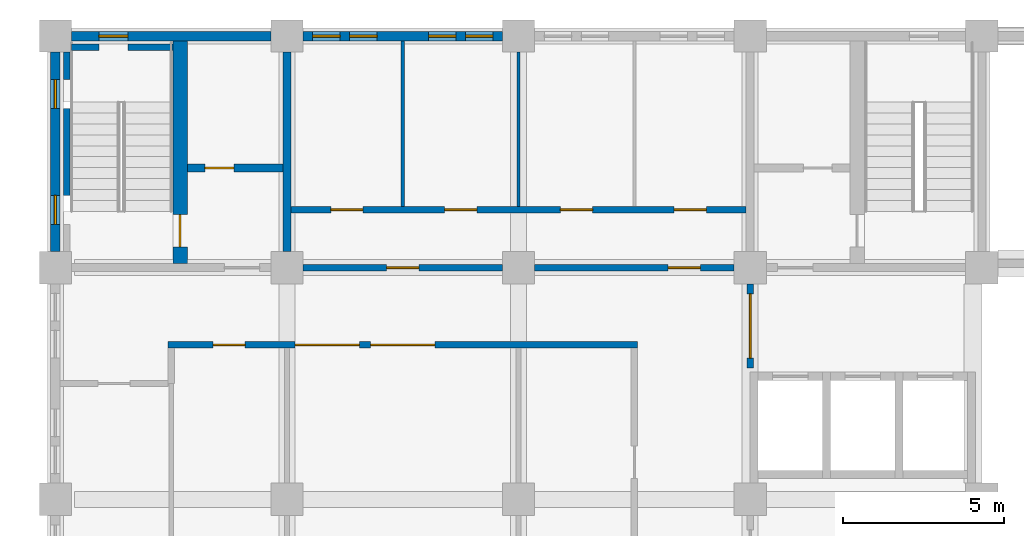
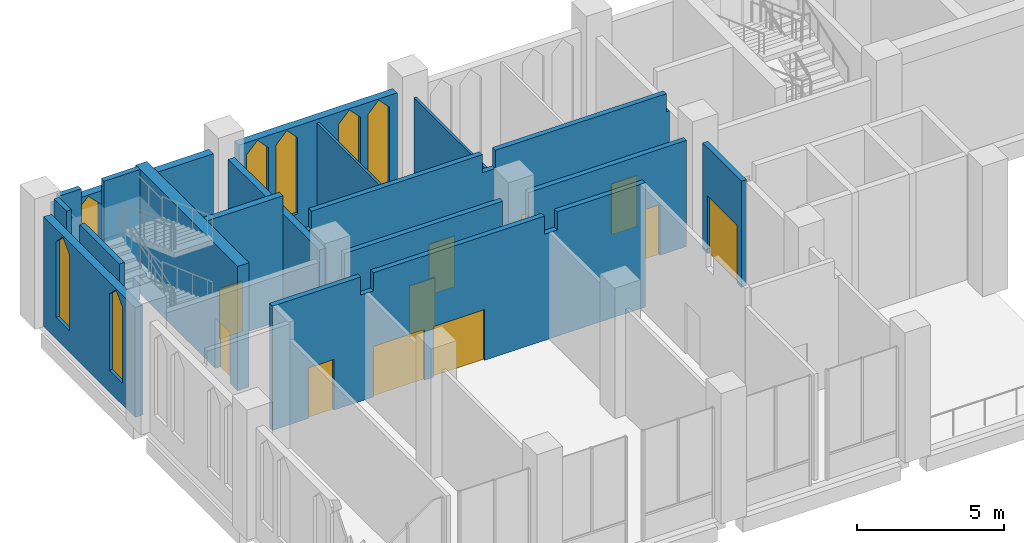
# One storey, part 31 of 48: 17 walls, 12 doors, 7 windows, 19 openings.
"""IFC4 building model written with IfcOpenShell, lengths in metres."""

from ifc_helpers import new_model, si_unit, direction, frame, frame_2d, origin, place, context, subcontext, project, spatial, polyline, rectangle, outline, extrude, material, layer, layer_set, type_object, element, fill, save


model = new_model("IFC4")

# Units and contexts
model_context = context("Model", 3, precision=1e-05, world=origin(), true_north=direction((0.0, 1.0)))
body_context = subcontext(model_context, "Body", "Model", "MODEL_VIEW")
ifc_project = project(units=[si_unit("LENGTHUNIT", "METRE"), si_unit("AREAUNIT", "SQUARE_METRE"), si_unit("VOLUMEUNIT", "CUBIC_METRE"), si_unit("PLANEANGLEUNIT", "RADIAN"), si_unit("MASSUNIT", "GRAM", prefix="KILO")], contexts=[model_context])

# Site, building, storey
site_placement = place(None, origin())
site = spatial("IfcSite", under=ifc_project, at=site_placement, CompositionType="ELEMENT")
building_placement = place(site_placement, origin())
building = spatial("IfcBuilding", under=site, at=building_placement, Name="Silangan Lancet Faculty of Sciences", CompositionType="ELEMENT")
storey_placement = place(building_placement, frame((0.0, 0.0, 6.0)))
storey = spatial("IfcBuildingStorey", under=building, at=storey_placement, Name="L01", CompositionType="ELEMENT", Elevation=6.0)

# Wall, openings, windows
ifc_material_1 = material(Name="Concrete C40/50 precast", Category="concrete")
ifc_layer_1 = layer(ifc_material_1, 0.300048828125)
ifc_layer_set_1 = layer_set([ifc_layer_1], Name="Concrete C40/50 precast")
wall_type_1 = type_object("IfcWallType", Name="EW2 Turret enclosure wall", PredefinedType="STANDARD", material=ifc_layer_set_1)
wall_1_placement = place(storey_placement, frame((0.0, 50.89990234375, 0.0), z_axis=(0.0, 0.0, 1.0), x_axis=(0.0, 1.0, 0.0)))
wall_1 = element("IfcWall", 1, at=wall_1_placement, inside=storey, type_object=wall_type_1, Name="EW-L01-W-NT-02", PredefinedType="STANDARD", context=body_context, shape_type="SweptSolid", body=[
    extrude(rectangle(XDim=6.2001953125, YDim=0.300048828125, at=frame_2d((3.10009765625, 0.0))), origin(), (0.0, 0.0, 1.0), 4.550048828125),
])
opening_1_placement = place(wall_1_placement, frame((0.85009765625, 0.0, 0.89990234375)))
opening_1 = element("IfcOpeningElement", 2, at=opening_1_placement, cuts=wall_1, Name="Opening W5", PredefinedType="OPENING", context=body_context, shape_type="SweptSolid", body=[
    extrude(outline(polyline([(0.0, 0.0), (0.89990234375, 0.0), (0.89990234375, 3.150146484375), (0.449951171875, 3.60009765625), (0.0, 3.150146484375), (0.0, 0.0)])), frame((0.0, 0.159912109375, 0.0), z_axis=(0.0, -1.0, 0.0), x_axis=(1.0, 0.0, 0.0)), (0.0, 0.0, 1.0), 0.320068359375),
])
opening_2_placement = place(wall_1_placement, frame((4.449951171875, 0.0, 0.89990234375)))
opening_2 = element("IfcOpeningElement", 3, at=opening_2_placement, cuts=wall_1, Name="Opening W5", PredefinedType="OPENING", context=body_context, shape_type="SweptSolid", body=[
    extrude(outline(polyline([(0.0, 0.0), (0.89990234375, 0.0), (0.89990234375, 3.150146484375), (0.449951171875, 3.60009765625), (0.0, 3.150146484375), (0.0, 0.0)])), frame((0.0, 0.159912109375, 0.0), z_axis=(0.0, -1.0, 0.0), x_axis=(1.0, 0.0, 0.0)), (0.0, 0.0, 1.0), 0.320068359375),
])
ifc_material_2 = material(Name="Aluminium frame, laminated double glazing", Category="aluminium")
window_type_1 = type_object("IfcWindowType", Name="W5 Lancet window 900 x 3600", PartitioningType="SINGLE_PANEL", PredefinedType="WINDOW", material=ifc_material_2)
window_1_placement = place(opening_1_placement, origin())
window_1 = element("IfcWindow", 4, at=window_1_placement, inside=storey, type_object=window_type_1, Name="WIN-L01-W-NT-02a", OverallHeight=3.60009765625, OverallWidth=0.89990234375, PartitioningType="SINGLE_PANEL", PredefinedType="WINDOW", context=body_context, shape_type="SweptSolid", body=[
    extrude(outline(polyline([(0.0, 0.0), (0.89990234375, 0.0), (0.89990234375, 3.150146484375), (0.449951171875, 3.60009765625), (0.0, 3.150146484375), (0.0, 0.0)])), frame((0.0, 0.030029296875, 0.0), z_axis=(0.0, -1.0, 0.0), x_axis=(1.0, 0.0, 0.0)), (0.0, 0.0, 1.0), 0.06005859375),
])
fill(opening_1, window_1)
window_2_placement = place(opening_2_placement, origin())
window_2 = element("IfcWindow", 5, at=window_2_placement, inside=storey, type_object=window_type_1, Name="WIN-L01-W-NT-02b", OverallHeight=3.60009765625, OverallWidth=0.89990234375, PartitioningType="SINGLE_PANEL", PredefinedType="WINDOW", context=body_context, shape_type="SweptSolid", body=[
    extrude(outline(polyline([(0.0, 0.0), (0.89990234375, 0.0), (0.89990234375, 3.150146484375), (0.449951171875, 3.60009765625), (0.0, 3.150146484375), (0.0, 0.0)])), frame((0.0, 0.030029296875, 0.0), z_axis=(0.0, -1.0, 0.0), x_axis=(1.0, 0.0, 0.0)), (0.0, 0.0, 1.0), 0.06005859375),
])
fill(opening_2, window_2)

# Wall, opening, window
wall_2_placement = place(storey_placement, frame((6.699951171875, 57.60009765625, 0.0), z_axis=(0.0, 0.0, 1.0), x_axis=(-1.0, 0.0, 0.0)))
wall_2 = element("IfcWall", 6, at=wall_2_placement, inside=storey, type_object=wall_type_1, Name="EW-L01-N-NT-03", PredefinedType="STANDARD", context=body_context, shape_type="SweptSolid", body=[
    extrude(rectangle(XDim=6.199951171875, YDim=0.300048828125, at=frame_2d((3.10009765625, 0.0))), origin(), (0.0, 0.0, 1.0), 4.550048828125),
])
opening_3_placement = place(wall_2_placement, frame((4.449951171875, 0.0, 0.89990234375)))
opening_3 = element("IfcOpeningElement", 7, at=opening_3_placement, cuts=wall_2, Name="Opening W5", PredefinedType="OPENING", context=body_context, shape_type="SweptSolid", body=[
    extrude(outline(polyline([(0.0, 0.0), (0.89990234375, 0.0), (0.89990234375, 3.150146484375), (0.449951171875, 3.60009765625), (0.0, 3.150146484375), (0.0, 0.0)])), frame((0.0, 0.159912109375, 0.0), z_axis=(0.0, -1.0, 0.0), x_axis=(1.0, 0.0, 0.0)), (0.0, 0.0, 1.0), 0.320068359375),
])
window_3_placement = place(opening_3_placement, origin())
window_3 = element("IfcWindow", 8, at=window_3_placement, inside=storey, type_object=window_type_1, Name="WIN-L01-N-NT-03b", OverallHeight=3.60009765625, OverallWidth=0.89990234375, PartitioningType="SINGLE_PANEL", PredefinedType="WINDOW", context=body_context, shape_type="SweptSolid", body=[
    extrude(outline(polyline([(0.0, 0.0), (0.89990234375, 0.0), (0.89990234375, 3.150146484375), (0.449951171875, 3.60009765625), (0.0, 3.150146484375), (0.0, 0.0)])), frame((0.0, 0.030029296875, 0.0), z_axis=(0.0, -1.0, 0.0), x_axis=(1.0, 0.0, 0.0)), (0.0, 0.0, 1.0), 0.06005859375),
])
fill(opening_3, window_3)

# Wall, openings, windows
ifc_material_3 = material(Name="Concrete C40/50", Category="concrete")
ifc_layer_2 = layer(ifc_material_3, 0.300048828125)
ifc_layer_set_2 = layer_set([ifc_layer_2], Name="Concrete C40/50")
wall_type_2 = type_object("IfcWallType", Name="EW6 Stone-faced base wall", PredefinedType="STANDARD", material=ifc_layer_set_2)
wall_3_placement = place(storey_placement, frame((13.89990234375, 57.60009765625, 0.0), z_axis=(0.0, 0.0, 1.0), x_axis=(-1.0, 0.0, 0.0)))
wall_3 = element("IfcWall", 9, at=wall_3_placement, inside=storey, type_object=wall_type_2, Name="EW-L01-N-NT-02", PredefinedType="STANDARD", context=body_context, shape_type="SweptSolid", body=[
    extrude(rectangle(XDim=6.199951171875, YDim=0.300048828125, at=frame_2d((3.10009765625, 0.0))), origin(), (0.0, 0.0, 1.0), 4.550048828125),
])
opening_4_placement = place(wall_3_placement, frame((0.300048828125, 0.0, 0.89990234375)))
opening_4 = element("IfcOpeningElement", 10, at=opening_4_placement, cuts=wall_3, Name="Opening W7", PredefinedType="OPENING", context=body_context, shape_type="SweptSolid", body=[
    extrude(outline(polyline([(0.0, 0.0), (0.85009765625, 0.0), (0.85009765625, 3.150146484375), (0.425048828125, 3.60009765625), (0.0, 3.150146484375), (0.0, 0.0)])), frame((0.0, 0.159912109375, 0.0), z_axis=(0.0, -1.0, 0.0), x_axis=(1.0, 0.0, 0.0)), (0.0, 0.0, 1.0), 0.320068359375),
])
opening_5_placement = place(wall_3_placement, frame((1.449951171875, 0.0, 0.89990234375)))
opening_5 = element("IfcOpeningElement", 11, at=opening_5_placement, cuts=wall_3, Name="Opening W7", PredefinedType="OPENING", context=body_context, shape_type="SweptSolid", body=[
    extrude(outline(polyline([(0.0, 0.0), (0.85009765625, 0.0), (0.85009765625, 3.150146484375), (0.425048828125, 3.60009765625), (0.0, 3.150146484375), (0.0, 0.0)])), frame((0.0, 0.159912109375, 0.0), z_axis=(0.0, -1.0, 0.0), x_axis=(1.0, 0.0, 0.0)), (0.0, 0.0, 1.0), 0.320068359375),
])
opening_6_placement = place(wall_3_placement, frame((3.89990234375, 0.0, 0.89990234375)))
opening_6 = element("IfcOpeningElement", 12, at=opening_6_placement, cuts=wall_3, Name="Opening W7", PredefinedType="OPENING", context=body_context, shape_type="SweptSolid", body=[
    extrude(outline(polyline([(0.0, 0.0), (0.85009765625, 0.0), (0.85009765625, 3.150146484375), (0.425048828125, 3.60009765625), (0.0, 3.150146484375), (0.0, 0.0)])), frame((0.0, 0.159912109375, 0.0), z_axis=(0.0, -1.0, 0.0), x_axis=(1.0, 0.0, 0.0)), (0.0, 0.0, 1.0), 0.320068359375),
])
opening_7_placement = place(wall_3_placement, frame((5.050048828125, 0.0, 0.89990234375)))
opening_7 = element("IfcOpeningElement", 13, at=opening_7_placement, cuts=wall_3, Name="Opening W7", PredefinedType="OPENING", context=body_context, shape_type="SweptSolid", body=[
    extrude(outline(polyline([(0.0, 0.0), (0.85009765625, 0.0), (0.85009765625, 3.150146484375), (0.425048828125, 3.60009765625), (0.0, 3.150146484375), (0.0, 0.0)])), frame((0.0, 0.159912109375, 0.0), z_axis=(0.0, -1.0, 0.0), x_axis=(1.0, 0.0, 0.0)), (0.0, 0.0, 1.0), 0.320068359375),
])
ifc_material_4 = material(Name="Aluminium frame, laminated double glazing", Category="aluminium")
window_type_2 = type_object("IfcWindowType", Name="W7 Lancet window 850 x 3600", PartitioningType="SINGLE_PANEL", PredefinedType="WINDOW", material=ifc_material_4)
window_4_placement = place(opening_4_placement, origin())
window_4 = element("IfcWindow", 14, at=window_4_placement, inside=storey, type_object=window_type_2, Name="WIN-L01-N-NT-02a1", OverallHeight=3.60009765625, OverallWidth=0.85009765625, PartitioningType="SINGLE_PANEL", PredefinedType="WINDOW", context=body_context, shape_type="SweptSolid", body=[
    extrude(outline(polyline([(0.0, 0.0), (0.85009765625, 0.0), (0.85009765625, 3.150146484375), (0.425048828125, 3.60009765625), (0.0, 3.150146484375), (0.0, 0.0)])), frame((0.0, 0.030029296875, 0.0), z_axis=(0.0, -1.0, 0.0), x_axis=(1.0, 0.0, 0.0)), (0.0, 0.0, 1.0), 0.06005859375),
])
fill(opening_4, window_4)
window_5_placement = place(opening_5_placement, origin())
window_5 = element("IfcWindow", 15, at=window_5_placement, inside=storey, type_object=window_type_2, Name="WIN-L01-N-NT-02a2", OverallHeight=3.60009765625, OverallWidth=0.85009765625, PartitioningType="SINGLE_PANEL", PredefinedType="WINDOW", context=body_context, shape_type="SweptSolid", body=[
    extrude(outline(polyline([(0.0, 0.0), (0.85009765625, 0.0), (0.85009765625, 3.150146484375), (0.425048828125, 3.60009765625), (0.0, 3.150146484375), (0.0, 0.0)])), frame((0.0, 0.030029296875, 0.0), z_axis=(0.0, -1.0, 0.0), x_axis=(1.0, 0.0, 0.0)), (0.0, 0.0, 1.0), 0.06005859375),
])
fill(opening_5, window_5)
window_6_placement = place(opening_6_placement, origin())
window_6 = element("IfcWindow", 16, at=window_6_placement, inside=storey, type_object=window_type_2, Name="WIN-L01-N-NT-02b1", OverallHeight=3.60009765625, OverallWidth=0.85009765625, PartitioningType="SINGLE_PANEL", PredefinedType="WINDOW", context=body_context, shape_type="SweptSolid", body=[
    extrude(outline(polyline([(0.0, 0.0), (0.85009765625, 0.0), (0.85009765625, 3.150146484375), (0.425048828125, 3.60009765625), (0.0, 3.150146484375), (0.0, 0.0)])), frame((0.0, 0.030029296875, 0.0), z_axis=(0.0, -1.0, 0.0), x_axis=(1.0, 0.0, 0.0)), (0.0, 0.0, 1.0), 0.06005859375),
])
fill(opening_6, window_6)
window_7_placement = place(opening_7_placement, origin())
window_7 = element("IfcWindow", 17, at=window_7_placement, inside=storey, type_object=window_type_2, Name="WIN-L01-N-NT-02b2", OverallHeight=3.60009765625, OverallWidth=0.85009765625, PartitioningType="SINGLE_PANEL", PredefinedType="WINDOW", context=body_context, shape_type="SweptSolid", body=[
    extrude(outline(polyline([(0.0, 0.0), (0.85009765625, 0.0), (0.85009765625, 3.150146484375), (0.425048828125, 3.60009765625), (0.0, 3.150146484375), (0.0, 0.0)])), frame((0.0, 0.030029296875, 0.0), z_axis=(0.0, -1.0, 0.0), x_axis=(1.0, 0.0, 0.0)), (0.0, 0.0, 1.0), 0.06005859375),
])
fill(opening_7, window_7)

# Wall, openings, doors
ifc_material_5 = material(Name="Hollow block masonry fm 7 MPa", Category="masonry")
ifc_layer_3 = layer(ifc_material_5, 0.199951171875)
ifc_layer_set_3 = layer_set([ifc_layer_3], Name="Hollow block masonry fm 7 MPa")
wall_type_3 = type_object("IfcWallType", Name="Interior wall PW1 Corridor wall CHB 200", PredefinedType="PARTITIONING", material=ifc_layer_set_3)
wall_4_placement = place(storey_placement, frame((3.5, 48.0, 0.0), z_axis=(0.0, 0.0, 1.0), x_axis=(1.0, 0.0, 0.0)))
wall_4 = element("IfcWall", 18, at=wall_4_placement, inside=storey, type_object=wall_type_3, Name="Corridor wall CHB 200", PredefinedType="PARTITIONING", context=body_context, shape_type="SweptSolid", body=[
    extrude(outline(polyline([(0.0, 0.0), (14.60009765625, 0.0), (14.60009765625, 5.14990234375), (11.14990234375, 5.14990234375), (11.14990234375, 4.39990234375), (10.64990234375, 4.39990234375), (10.64990234375, 5.14990234375), (3.949951171875, 5.14990234375), (3.949951171875, 4.39990234375), (3.449951171875, 4.39990234375), (3.449951171875, 5.14990234375), (0.0, 5.14990234375), (0.0, 0.0)])), frame((0.0, 0.10009765625, 0.0), z_axis=(0.0, -1.0, 0.0), x_axis=(1.0, 0.0, 0.0)), (0.0, 0.0, 1.0), 0.199951171875),
])
opening_8_placement = place(wall_4_placement, frame((1.39990234375, 0.0, 0.0)))
opening_8 = element("IfcOpeningElement", 19, at=opening_8_placement, cuts=wall_4, Name="Opening L01-027", PredefinedType="OPENING", context=body_context, shape_type="SweptSolid", body=[
    extrude(rectangle(XDim=1.0, YDim=2.10009765625, at=frame_2d((0.5, 1.050048828125))), frame((0.0, 0.10986328125, 0.0), z_axis=(0.0, -1.0, 0.0), x_axis=(1.0, 0.0, 0.0)), (0.0, 0.0, 1.0), 0.219970703125),
])
opening_9_placement = place(wall_4_placement, frame((6.300048828125, 0.0, 0.0)))
opening_9 = element("IfcOpeningElement", 20, at=opening_9_placement, cuts=wall_4, Name="Opening L01-028", PredefinedType="OPENING", context=body_context, shape_type="SweptSolid", body=[
    extrude(rectangle(XDim=2.0, YDim=2.10009765625, at=frame_2d((1.0, 1.050048828125))), frame((0.0, 0.10986328125, 0.0), z_axis=(0.0, -1.0, 0.0), x_axis=(1.0, 0.0, 0.0)), (0.0, 0.0, 1.0), 0.219970703125),
])
opening_10_placement = place(wall_4_placement, frame((3.949951171875, 0.0, 0.0)))
opening_10 = element("IfcOpeningElement", 21, at=opening_10_placement, cuts=wall_4, Name="Opening L01-029", PredefinedType="OPENING", context=body_context, shape_type="SweptSolid", body=[
    extrude(rectangle(XDim=2.0, YDim=2.10009765625, at=frame_2d((1.0, 1.050048828125))), frame((0.0, 0.10986328125, 0.0), z_axis=(0.0, -1.0, 0.0), x_axis=(1.0, 0.0, 0.0)), (0.0, 0.0, 1.0), 0.219970703125),
])
ifc_material_6 = material(Name="Steel fire door set", Category="steel")
door_type_1 = type_object("IfcDoorType", Name="Door D1 Single leaf fire door 1000 x 2100", OperationType="SINGLE_SWING_LEFT", PredefinedType="DOOR", material=ifc_material_6)
door_1_placement = place(opening_8_placement, frame((1.0, 0.0, 0.0), z_axis=(0.0, 0.0, 1.0), x_axis=(-1.0, 0.0, 0.0)))
door_1 = element("IfcDoor", 22, at=door_1_placement, inside=storey, type_object=door_type_1, Name="Single leaf fire door 1000 x 2100", OperationType="SINGLE_SWING_LEFT", OverallHeight=2.10009765625, OverallWidth=1.0, PredefinedType="DOOR", context=body_context, shape_type="SweptSolid", body=[
    extrude(rectangle(XDim=1.0, YDim=2.10009765625, at=frame_2d((0.5, 1.050048828125))), frame((0.0, 0.025146484375, 0.0), z_axis=(0.0, -1.0, 0.0), x_axis=(1.0, 0.0, 0.0)), (0.0, 0.0, 1.0), 0.050048828125),
])
fill(opening_8, door_1)
ifc_material_7 = material(Name="Steel fire door set", Category="steel")
door_type_2 = type_object("IfcDoorType", Name="Door D4 Double leaf fire door 2000 x 2100", OperationType="DOUBLE_DOOR_SINGLE_SWING", PredefinedType="DOOR", material=ifc_material_7)
door_2_placement = place(opening_9_placement, origin())
door_2 = element("IfcDoor", 23, at=door_2_placement, inside=storey, type_object=door_type_2, Name="Double leaf fire door 2000 x 2100", OperationType="DOUBLE_DOOR_SINGLE_SWING", OverallHeight=2.10009765625, OverallWidth=2.0, PredefinedType="DOOR", context=body_context, shape_type="SweptSolid", body=[
    extrude(rectangle(XDim=2.0, YDim=2.10009765625, at=frame_2d((1.0, 1.050048828125))), frame((0.0, 0.02490234375, 0.0), z_axis=(0.0, -1.0, 0.0), x_axis=(1.0, 0.0, 0.0)), (0.0, 0.0, 1.0), 0.050048828125),
])
fill(opening_9, door_2)
door_3_placement = place(opening_10_placement, origin())
door_3 = element("IfcDoor", 24, at=door_3_placement, inside=storey, type_object=door_type_2, Name="Double leaf fire door 2000 x 2100", OperationType="DOUBLE_DOOR_SINGLE_SWING", OverallHeight=2.10009765625, OverallWidth=2.0, PredefinedType="DOOR", context=body_context, shape_type="SweptSolid", body=[
    extrude(rectangle(XDim=2.0, YDim=2.10009765625, at=frame_2d((1.0, 1.050048828125))), frame((0.0, 0.02490234375, 0.0), z_axis=(0.0, -1.0, 0.0), x_axis=(1.0, 0.0, 0.0)), (0.0, 0.0, 1.0), 0.050048828125),
])
fill(opening_10, door_3)

# Wall, opening, door
wall_5_placement = place(storey_placement, frame((7.699951171875, 50.39990234375, 0.0), z_axis=(0.0, 0.0, 1.0), x_axis=(1.0, 0.0, 0.0)))
wall_5 = element("IfcWall", 25, at=wall_5_placement, inside=storey, type_object=wall_type_3, Name="Corridor wall CHB 200", PredefinedType="PARTITIONING", context=body_context, shape_type="SweptSolid", body=[
    extrude(rectangle(XDim=6.199951171875, YDim=0.199951171875, at=frame_2d((3.10009765625, 0.0))), origin(), (0.0, 0.0, 1.0), 4.39990234375),
])
opening_11_placement = place(wall_5_placement, frame((2.599853515625, 0.0, 0.0)))
opening_11 = element("IfcOpeningElement", 26, at=opening_11_placement, cuts=wall_5, Name="Opening L01-005", PredefinedType="OPENING", context=body_context, shape_type="SweptSolid", body=[
    extrude(rectangle(XDim=1.0, YDim=2.10009765625, at=frame_2d((0.5, 1.050048828125))), frame((0.0, 0.10986328125, 0.0), z_axis=(0.0, -1.0, 0.0), x_axis=(1.0, 0.0, 0.0)), (0.0, 0.0, 1.0), 0.219970703125),
])
door_4_placement = place(opening_11_placement, origin())
door_4 = element("IfcDoor", 27, at=door_4_placement, inside=storey, type_object=door_type_1, Name="Single leaf fire door 1000 x 2100", OperationType="SINGLE_SWING_LEFT", OverallHeight=2.10009765625, OverallWidth=1.0, PredefinedType="DOOR", context=body_context, shape_type="SweptSolid", body=[
    extrude(rectangle(XDim=1.0, YDim=2.10009765625, at=frame_2d((0.5, 1.050048828125))), frame((0.0, 0.02490234375, 0.0), z_axis=(0.0, -1.0, 0.0), x_axis=(1.0, 0.0, 0.0)), (0.0, 0.0, 1.0), 0.050048828125),
])
fill(opening_11, door_4)

wall_6_placement = place(storey_placement, frame((14.89990234375, 50.39990234375, 0.0), z_axis=(0.0, 0.0, 1.0), x_axis=(1.0, 0.0, 0.0)))
wall_6 = element("IfcWall", 28, at=wall_6_placement, inside=storey, type_object=wall_type_3, Name="Corridor wall CHB 200", PredefinedType="PARTITIONING", context=body_context, shape_type="SweptSolid", body=[
    extrude(rectangle(XDim=6.2001953125, YDim=0.199951171875, at=frame_2d((3.10009765625, 0.0))), origin(), (0.0, 0.0, 1.0), 4.39990234375),
])
opening_12_placement = place(wall_6_placement, frame((4.150146484375, 0.0, 0.0)))
opening_12 = element("IfcOpeningElement", 29, at=opening_12_placement, cuts=wall_6, Name="Opening L01-006", PredefinedType="OPENING", context=body_context, shape_type="SweptSolid", body=[
    extrude(rectangle(XDim=1.0, YDim=2.10009765625, at=frame_2d((0.5, 1.050048828125))), frame((0.0, 0.10986328125, 0.0), z_axis=(0.0, -1.0, 0.0), x_axis=(1.0, 0.0, 0.0)), (0.0, 0.0, 1.0), 0.219970703125),
])
door_5_placement = place(opening_12_placement, origin())
door_5 = element("IfcDoor", 30, at=door_5_placement, inside=storey, type_object=door_type_1, Name="Single leaf fire door 1000 x 2100", OperationType="SINGLE_SWING_RIGHT", OverallHeight=2.10009765625, OverallWidth=1.0, PredefinedType="DOOR", context=body_context, shape_type="SweptSolid", body=[
    extrude(rectangle(XDim=1.0, YDim=2.10009765625, at=frame_2d((0.5, 1.050048828125))), frame((0.0, 0.02490234375, 0.0), z_axis=(0.0, -1.0, 0.0), x_axis=(1.0, 0.0, 0.0)), (0.0, 0.0, 1.0), 0.050048828125),
])
fill(opening_12, door_5)

# Wall, openings, doors
wall_7_placement = place(storey_placement, frame((7.324951171875, 52.199951171875, 0.0), z_axis=(0.0, 0.0, 1.0), x_axis=(1.0, 0.0, 0.0)))
wall_7 = element("IfcWall", 31, at=wall_7_placement, inside=storey, type_object=wall_type_3, Name="Corridor wall CHB 200", PredefinedType="PARTITIONING", context=body_context, shape_type="SweptSolid", body=[
    extrude(outline(polyline([(0.0, 0.0), (14.150146484375, 0.0), (14.150146484375, 4.39990234375), (14.02490234375, 4.39990234375), (14.02490234375, 5.14990234375), (7.324951171875, 5.14990234375), (7.324951171875, 4.39990234375), (6.824951171875, 4.39990234375), (6.824951171875, 5.14990234375), (0.125, 5.14990234375), (0.125, 4.39990234375), (0.0, 4.39990234375), (0.0, 0.0)])), frame((0.0, 0.10009765625, 0.0), z_axis=(0.0, -1.0, 0.0), x_axis=(1.0, 0.0, 0.0)), (0.0, 0.0, 1.0), 0.199951171875),
])
opening_13_placement = place(wall_7_placement, frame((1.237548828125, 0.0, 0.0)))
opening_13 = element("IfcOpeningElement", 32, at=opening_13_placement, cuts=wall_7, Name="Opening L01-020", PredefinedType="OPENING", context=body_context, shape_type="SweptSolid", body=[
    extrude(rectangle(XDim=1.0, YDim=2.10009765625, at=frame_2d((0.5, 1.050048828125))), frame((0.0, 0.10986328125, 0.0), z_axis=(0.0, -1.0, 0.0), x_axis=(1.0, 0.0, 0.0)), (0.0, 0.0, 1.0), 0.219970703125),
])
opening_14_placement = place(wall_7_placement, frame((4.77490234375, 0.0, 0.0)))
opening_14 = element("IfcOpeningElement", 33, at=opening_14_placement, cuts=wall_7, Name="Opening L01-021", PredefinedType="OPENING", context=body_context, shape_type="SweptSolid", body=[
    extrude(rectangle(XDim=1.0, YDim=2.10009765625, at=frame_2d((0.5, 1.050048828125))), frame((0.0, 0.10986328125, 0.0), z_axis=(0.0, -1.0, 0.0), x_axis=(1.0, 0.0, 0.0)), (0.0, 0.0, 1.0), 0.219970703125),
])
opening_15_placement = place(wall_7_placement, frame((8.375, 0.0, 0.0)))
opening_15 = element("IfcOpeningElement", 34, at=opening_15_placement, cuts=wall_7, Name="Opening L01-022", PredefinedType="OPENING", context=body_context, shape_type="SweptSolid", body=[
    extrude(rectangle(XDim=1.0, YDim=2.10009765625, at=frame_2d((0.5, 1.050048828125))), frame((0.0, 0.10986328125, 0.0), z_axis=(0.0, -1.0, 0.0), x_axis=(1.0, 0.0, 0.0)), (0.0, 0.0, 1.0), 0.219970703125),
])
opening_16_placement = place(wall_7_placement, frame((11.91259765625, 0.0, 0.0)))
opening_16 = element("IfcOpeningElement", 35, at=opening_16_placement, cuts=wall_7, Name="Opening L01-023", PredefinedType="OPENING", context=body_context, shape_type="SweptSolid", body=[
    extrude(rectangle(XDim=1.0, YDim=2.10009765625, at=frame_2d((0.5, 1.050048828125))), frame((0.0, 0.10986328125, 0.0), z_axis=(0.0, -1.0, 0.0), x_axis=(1.0, 0.0, 0.0)), (0.0, 0.0, 1.0), 0.219970703125),
])
door_6_placement = place(opening_13_placement, origin())
door_6 = element("IfcDoor", 36, at=door_6_placement, inside=storey, type_object=door_type_1, Name="Single leaf fire door 1000 x 2100", OperationType="SINGLE_SWING_LEFT", OverallHeight=2.10009765625, OverallWidth=1.0, PredefinedType="DOOR", context=body_context, shape_type="SweptSolid", body=[
    extrude(rectangle(XDim=1.0, YDim=2.10009765625, at=frame_2d((0.5, 1.050048828125))), frame((0.0, 0.02490234375, 0.0), z_axis=(0.0, -1.0, 0.0), x_axis=(1.0, 0.0, 0.0)), (0.0, 0.0, 1.0), 0.050048828125),
])
fill(opening_13, door_6)
door_7_placement = place(opening_14_placement, origin())
door_7 = element("IfcDoor", 37, at=door_7_placement, inside=storey, type_object=door_type_1, Name="Single leaf fire door 1000 x 2100", OperationType="SINGLE_SWING_RIGHT", OverallHeight=2.10009765625, OverallWidth=1.0, PredefinedType="DOOR", context=body_context, shape_type="SweptSolid", body=[
    extrude(rectangle(XDim=1.0, YDim=2.10009765625, at=frame_2d((0.5, 1.050048828125))), frame((0.0, 0.02490234375, 0.0), z_axis=(0.0, -1.0, 0.0), x_axis=(1.0, 0.0, 0.0)), (0.0, 0.0, 1.0), 0.050048828125),
])
fill(opening_14, door_7)
door_8_placement = place(opening_15_placement, origin())
door_8 = element("IfcDoor", 38, at=door_8_placement, inside=storey, type_object=door_type_1, Name="Single leaf fire door 1000 x 2100", OperationType="SINGLE_SWING_LEFT", OverallHeight=2.10009765625, OverallWidth=1.0, PredefinedType="DOOR", context=body_context, shape_type="SweptSolid", body=[
    extrude(rectangle(XDim=1.0, YDim=2.10009765625, at=frame_2d((0.5, 1.050048828125))), frame((0.0, 0.02490234375, 0.0), z_axis=(0.0, -1.0, 0.0), x_axis=(1.0, 0.0, 0.0)), (0.0, 0.0, 1.0), 0.050048828125),
])
fill(opening_15, door_8)
door_9_placement = place(opening_16_placement, origin())
door_9 = element("IfcDoor", 39, at=door_9_placement, inside=storey, type_object=door_type_1, Name="Single leaf fire door 1000 x 2100", OperationType="SINGLE_SWING_RIGHT", OverallHeight=2.10009765625, OverallWidth=1.0, PredefinedType="DOOR", context=body_context, shape_type="SweptSolid", body=[
    extrude(rectangle(XDim=1.0, YDim=2.10009765625, at=frame_2d((0.5, 1.050048828125))), frame((0.0, 0.02490234375, 0.0), z_axis=(0.0, -1.0, 0.0), x_axis=(1.0, 0.0, 0.0)), (0.0, 0.0, 1.0), 0.050048828125),
])
fill(opening_16, door_9)

# Walls
ifc_material_8 = material(Name="Hollow block masonry fm 7 MPa", Category="masonry")
ifc_layer_4 = layer(ifc_material_8, 0.10009765625)
ifc_layer_set_4 = layer_set([ifc_layer_4], Name="Hollow block masonry fm 7 MPa")
wall_type_4 = type_object("IfcWallType", Name="Interior wall PW8 WC partition CHB 100", PredefinedType="PARTITIONING", material=ifc_layer_set_4)
wall_8_placement = place(storey_placement, frame((10.800048828125, 52.300048828125, 0.0), z_axis=(0.0, 0.0, 1.0), x_axis=(0.0, 1.0, 0.0)))
element("IfcWall", 40, at=wall_8_placement, inside=storey, type_object=wall_type_4, Name="WC partition CHB 100", PredefinedType="PARTITIONING", context=body_context, shape_type="SweptSolid", body=[
    extrude(rectangle(XDim=5.14990234375, YDim=0.10009765625, at=frame_2d((2.574951171875, 0.0))), origin(), (0.0, 0.0, 1.0), 4.39990234375),
])
wall_9_placement = place(storey_placement, frame((14.39990234375, 52.300048828125, 0.0), z_axis=(0.0, 0.0, 1.0), x_axis=(0.0, 1.0, 0.0)))
element("IfcWall", 41, at=wall_9_placement, inside=storey, type_object=wall_type_4, Name="WC partition CHB 100", PredefinedType="PARTITIONING", context=body_context, shape_type="SweptSolid", body=[
    extrude(rectangle(XDim=4.800048828125, YDim=0.10009765625, at=frame_2d((2.39990234375, 0.0))), origin(), (0.0, 0.0, 1.0), 4.39990234375),
])

# Wall, opening, door
ifc_material_9 = material(Name="Hollow block masonry fm 7 MPa", Category="masonry")
ifc_layer_5 = layer(ifc_material_9, 0.199951171875)
ifc_layer_set_5 = layer_set([ifc_layer_5], Name="Hollow block masonry fm 7 MPa")
wall_type_5 = type_object("IfcWallType", Name="Interior wall PW9 Lift lobby wall CHB 200", PredefinedType="PARTITIONING", material=ifc_layer_set_5)
wall_10_placement = place(storey_placement, frame((21.60009765625, 47.27490234375, 0.0), z_axis=(0.0, 0.0, 1.0), x_axis=(0.0, 1.0, 0.0)))
wall_10 = element("IfcWall", 42, at=wall_10_placement, inside=storey, type_object=wall_type_5, Name="Lift lobby wall CHB 200", PredefinedType="PARTITIONING", context=body_context, shape_type="SweptSolid", body=[
    extrude(rectangle(XDim=2.625, YDim=0.199951171875, at=frame_2d((1.3125, 0.0))), origin(), (0.0, 0.0, 1.0), 4.39990234375),
])
opening_17_placement = place(wall_10_placement, frame((0.3125, 0.0, 0.0)))
opening_17 = element("IfcOpeningElement", 43, at=opening_17_placement, cuts=wall_10, Name="Opening L01-004", PredefinedType="OPENING", context=body_context, shape_type="SweptSolid", body=[
    extrude(rectangle(XDim=2.0, YDim=2.39990234375, at=frame_2d((1.0, 1.199951171875))), frame((0.0, 0.10986328125, 0.0), z_axis=(0.0, -1.0, 0.0), x_axis=(1.0, 0.0, 0.0)), (0.0, 0.0, 1.0), 0.219970703125),
])
ifc_material_10 = material(Name="Steel fire door set", Category="steel")
door_type_3 = type_object("IfcDoorType", Name="Door D5 Lift lobby double fire door 2000 x 2400", OperationType="DOUBLE_DOOR_SINGLE_SWING", PredefinedType="DOOR", material=ifc_material_10)
door_10_placement = place(opening_17_placement, origin())
door_10 = element("IfcDoor", 44, at=door_10_placement, inside=storey, type_object=door_type_3, Name="Lift lobby double fire door 2000 x 2400", OperationType="DOUBLE_DOOR_SINGLE_SWING", OverallHeight=2.39990234375, OverallWidth=2.0, PredefinedType="DOOR", context=body_context, shape_type="SweptSolid", body=[
    extrude(rectangle(XDim=2.0, YDim=2.39990234375, at=frame_2d((1.0, 1.199951171875))), frame((0.0, 0.02490234375, 0.0), z_axis=(0.0, -1.0, 0.0), x_axis=(1.0, 0.0, 0.0)), (0.0, 0.0, 1.0), 0.050048828125),
])
fill(opening_17, door_10)

ifc_material_11 = material(Name="Concrete C40/50", Category="concrete")
ifc_layer_6 = layer(ifc_material_11, 0.449951171875)
ifc_layer_set_6 = layer_set([ifc_layer_6], Name="Concrete C40/50")
wall_type_6 = type_object("IfcWallType", Name="TURRET CORE WALL RC 450", PredefinedType="SHEAR", material=ifc_layer_set_6)
wall_11_placement = place(storey_placement, frame((3.875, 50.52490234375, 0.0), z_axis=(0.0, 0.0, 1.0), x_axis=(0.0, 1.0, 0.0)))
wall_11 = element("IfcWall", 45, at=wall_11_placement, inside=storey, type_object=wall_type_6, Name="WALL-L01-NT-A-WELL", PredefinedType="SHEAR", context=body_context, shape_type="SweptSolid", body=[
    extrude(rectangle(XDim=6.925048828125, YDim=0.449951171875, at=frame_2d((3.46240234375, 0.0))), origin(), (0.0, 0.0, 1.0), 5.14990234375),
])
opening_18_placement = place(wall_11_placement, frame((0.52490234375, 0.0, 0.0)))
opening_18 = element("IfcOpeningElement", 46, at=opening_18_placement, cuts=wall_11, Name="Opening L01-713", PredefinedType="OPENING", context=body_context, shape_type="SweptSolid", body=[
    extrude(rectangle(XDim=1.0, YDim=2.10009765625, at=frame_2d((0.5, 1.050048828125))), frame((0.0, 0.23486328125, 0.0), z_axis=(0.0, -1.0, 0.0), x_axis=(1.0, 0.0, 0.0)), (0.0, 0.0, 1.0), 0.469970703125),
])
ifc_material_12 = material(Name="Steel fire door set", Category="steel")
door_type_4 = type_object("IfcDoorType", Name="D71 Stair enclosure door 1000x2100", OperationType="SINGLE_SWING_LEFT", PredefinedType="DOOR", material=ifc_material_12)
door_11_placement = place(opening_18_placement, origin())
door_11 = element("IfcDoor", 47, at=door_11_placement, inside=storey, type_object=door_type_4, Name="Stair enclosure door NT-A L01", OperationType="SINGLE_SWING_LEFT", OverallHeight=2.10009765625, OverallWidth=1.0, PredefinedType="DOOR", context=body_context, shape_type="SweptSolid", body=[
    extrude(rectangle(XDim=1.0, YDim=2.10009765625, at=frame_2d((0.5, 1.050048828125))), frame((0.0, 0.02490234375, 0.0), z_axis=(0.0, -1.0, 0.0), x_axis=(1.0, 0.0, 0.0)), (0.0, 0.0, 1.0), 0.050048828125),
])
fill(opening_18, door_11)

# Walls
ifc_material_13 = material(Name="Concrete C40/50", Category="concrete")
ifc_layer_7 = layer(ifc_material_13, 0.199951171875)
ifc_layer_set_7 = layer_set([ifc_layer_7], Name="Concrete C40/50")
wall_type_7 = type_object("IfcWallType", Name="TURRET LINING WALL RC 200", PredefinedType="SHEAR", material=ifc_layer_set_7)
wall_12_placement = place(storey_placement, frame((0.35009765625, 52.64990234375, -0.25), z_axis=(0.0, 0.0, 1.0), x_axis=(0.0, 1.0, 0.0)))
element("IfcWall", 48, at=wall_12_placement, inside=storey, type_object=wall_type_7, Name="WALL-L01-NT-A-WL-2", PredefinedType="SHEAR", context=body_context, shape_type="SweptSolid", body=[
    extrude(rectangle(XDim=2.7001953125, YDim=0.199951171875, at=frame_2d((1.35009765625, 0.0))), origin(), (0.0, 0.0, 1.0), 5.39990234375),
])
for number, where, z_axis, x_axis, name in (
    (49, (0.35009765625, 56.25, -0.25), (0.0, 0.0, 1.0), (0.0, 1.0, 0.0), "WALL-L01-NT-A-WL-3"),
    (50, (0.5, 57.25, -0.25), (0.0, 0.0, 1.0), (1.0, 0.0, 0.0), "WALL-L01-NT-A-WLD"),
):
    element("IfcWall", number, at=place(storey_placement, frame(where, z_axis=z_axis, x_axis=x_axis)), inside=storey, type_object=wall_type_7, Name=name, PredefinedType="SHEAR", context=body_context, shape_type="SweptSolid", body=[
        extrude(rectangle(XDim=0.85009765625, YDim=0.199951171875, at=frame_2d((0.425048828125, 0.0))), origin(), (0.0, 0.0, 1.0), 5.39990234375),
    ])
wall_13_placement = place(storey_placement, frame((2.25, 57.25, -0.25), z_axis=(0.0, 0.0, 1.0), x_axis=(1.0, 0.0, 0.0)))
element("IfcWall", 51, at=wall_13_placement, inside=storey, type_object=wall_type_7, Name="WALL-L01-NT-A-WLD-2", PredefinedType="SHEAR", context=body_context, shape_type="SweptSolid", body=[
    extrude(rectangle(XDim=1.39990234375, YDim=0.199951171875, at=frame_2d((0.699951171875, 0.0))), origin(), (0.0, 0.0, 1.0), 5.39990234375),
])
ifc_material_14 = material(Name="Concrete C40/50", Category="concrete")
ifc_layer_8 = layer(ifc_material_14, 0.25)
ifc_layer_set_8 = layer_set([ifc_layer_8], Name="Concrete C40/50")
wall_type_8 = type_object("IfcWallType", Name="TURRET WALL RC 250", PredefinedType="SHEAR", material=ifc_layer_set_8)
wall_14_placement = place(storey_placement, frame((7.199951171875, 50.89990234375, 0.0), z_axis=(0.0, 0.0, 1.0), x_axis=(0.0, 1.0, 0.0)))
element("IfcWall", 52, at=wall_14_placement, inside=storey, type_object=wall_type_8, Name="WALL-L01-NT-A-O", PredefinedType="SHEAR", context=body_context, shape_type="SweptSolid", body=[
    extrude(rectangle(XDim=6.2001953125, YDim=0.25, at=frame_2d((3.10009765625, 0.0))), origin(), (0.0, 0.0, 1.0), 4.39990234375),
])

# Wall, opening, door
wall_15_placement = place(storey_placement, frame((4.10009765625, 53.5, 0.0), z_axis=(0.0, 0.0, 1.0), x_axis=(1.0, 0.0, 0.0)))
wall_15 = element("IfcWall", 53, at=wall_15_placement, inside=storey, type_object=wall_type_8, Name="WALL-L01-NT-A-RISER", PredefinedType="SHEAR", context=body_context, shape_type="SweptSolid", body=[
    extrude(rectangle(XDim=2.974853515625, YDim=0.25, at=frame_2d((1.4873046875, 0.0))), origin(), (0.0, 0.0, 1.0), 5.14990234375),
])
opening_19_placement = place(wall_15_placement, frame((0.550048828125, 0.0, 0.0)))
opening_19 = element("IfcOpeningElement", 54, at=opening_19_placement, cuts=wall_15, Name="Opening L01-715", PredefinedType="OPENING", context=body_context, shape_type="SweptSolid", body=[
    extrude(rectangle(XDim=0.89990234375, YDim=2.10009765625, at=frame_2d((0.449951171875, 1.050048828125))), frame((0.0, 0.135009765625, 0.0), z_axis=(0.0, -1.0, 0.0), x_axis=(1.0, 0.0, 0.0)), (0.0, 0.0, 1.0), 0.27001953125),
])
ifc_material_15 = material(Name="Steel fire door set", Category="steel")
door_type_5 = type_object("IfcDoorType", Name="D72 Riser access door 900x2100", OperationType="SINGLE_SWING_LEFT", PredefinedType="DOOR", material=ifc_material_15)
door_12_placement = place(opening_19_placement, origin())
door_12 = element("IfcDoor", 55, at=door_12_placement, inside=storey, type_object=door_type_5, Name="Riser access door NT-A L01", OperationType="SINGLE_SWING_RIGHT", OverallHeight=2.10009765625, OverallWidth=0.89990234375, PredefinedType="DOOR", context=body_context, shape_type="SweptSolid", body=[
    extrude(rectangle(XDim=0.89990234375, YDim=2.10009765625, at=frame_2d((0.449951171875, 1.050048828125))), frame((0.0, 0.02490234375, 0.0), z_axis=(0.0, -1.0, 0.0), x_axis=(1.0, 0.0, 0.0)), (0.0, 0.0, 1.0), 0.050048828125),
])
fill(opening_19, door_12)

save(model, "model.ifc")
